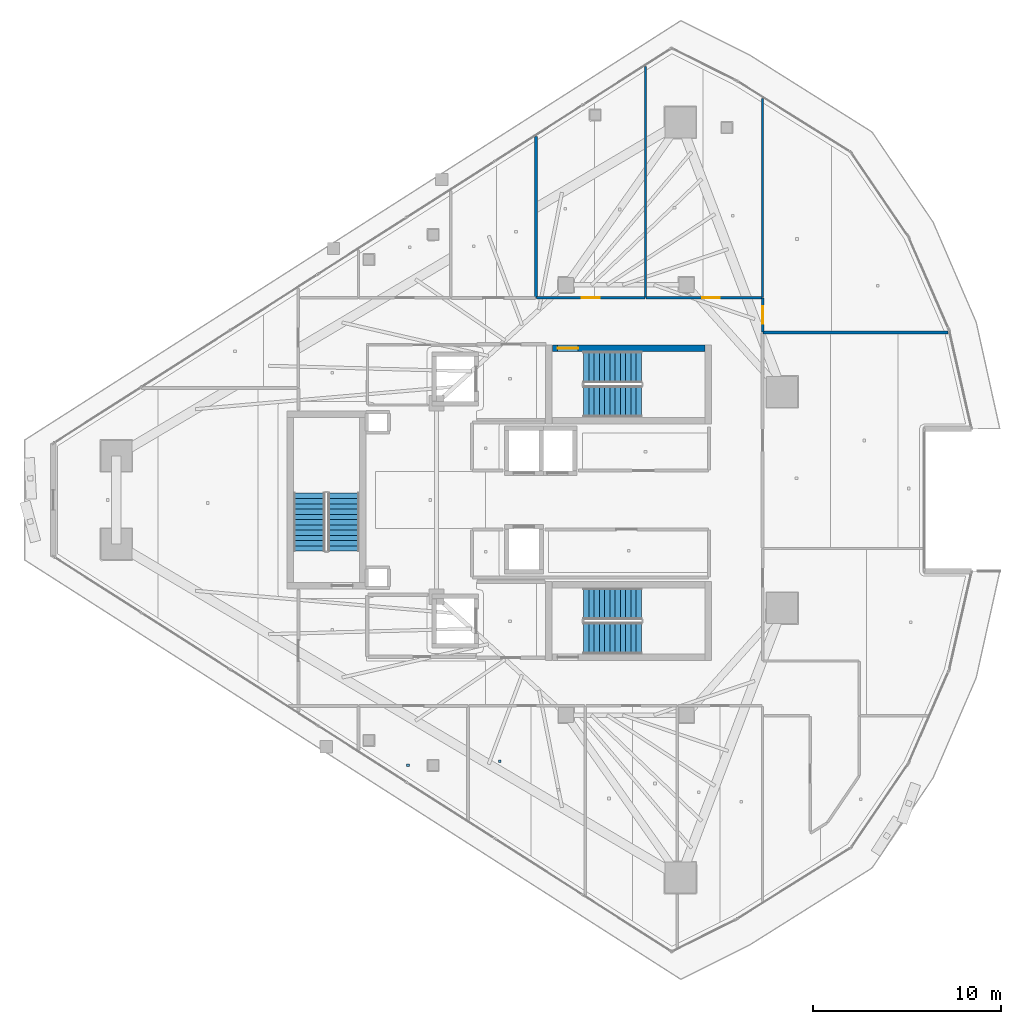
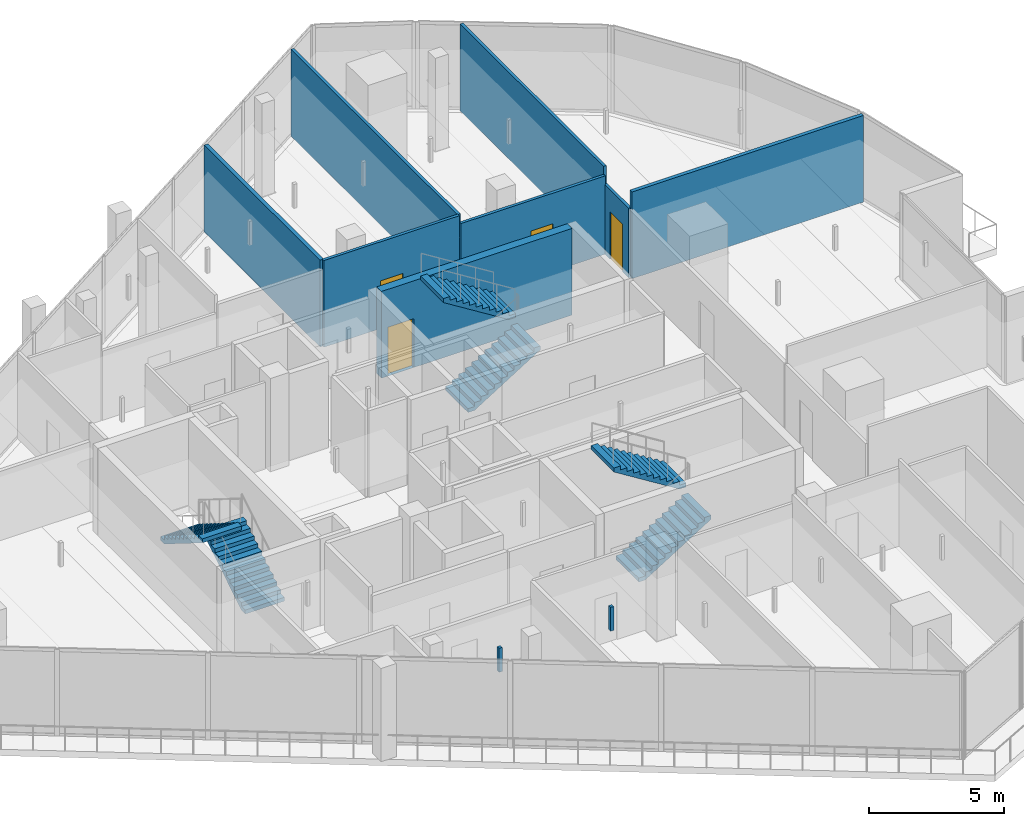
# One storey, part 27 of 36: 8 walls, 6 stair flights, 4 doors, 2 discrete accessories, 4 openings, 3 elements without a shape of their own.
"""IFC4 building model written with IfcOpenShell, lengths in metres."""

from ifc_helpers import new_model, si_unit, direction, frame, frame_2d, origin, origin_2d, place, context, subcontext, project, spatial, polyline, rectangle, outline, extrude, material, layer, layer_set, type_object, element, fill, aggregate, save


model = new_model("IFC4")

# Units and contexts
model_context = context("Model", 3, precision=1e-05, world=origin(), true_north=direction((0.0, 1.0)))
body_context = subcontext(model_context, "Body", "Model", "MODEL_VIEW")
ifc_project = project(units=[si_unit("LENGTHUNIT", "METRE"), si_unit("AREAUNIT", "SQUARE_METRE"), si_unit("VOLUMEUNIT", "CUBIC_METRE"), si_unit("PLANEANGLEUNIT", "RADIAN"), si_unit("MASSUNIT", "GRAM", prefix="KILO")], contexts=[model_context])

# Site, building, storey
site_placement = place(None, origin())
site = spatial("IfcSite", under=ifc_project, at=site_placement, CompositionType="ELEMENT")
building_placement = place(site_placement, origin())
building = spatial("IfcBuilding", under=site, at=building_placement, Name="Qorvath Tower", CompositionType="ELEMENT")
storey_placement = place(building_placement, frame((0.0, 0.0, 272.39990234375)))
storey = spatial("IfcBuildingStorey", under=building, at=storey_placement, Name="L63", CompositionType="ELEMENT", Elevation=272.39990234375)

# Walls
ifc_material_1 = material(Name="Double acoustic gypsum board on steel studs", Category="steel")
ifc_layer_1 = layer(ifc_material_1, 0.159912109375)
ifc_layer_set_1 = layer_set([ifc_layer_1], Name="IW-ACOUSTIC-160")
wall_type_1 = type_object("IfcWallType", Name="IW-ACOUSTIC-160", PredefinedType="PARTITIONING", material=ifc_layer_set_1)
wall_1_placement = place(storey_placement, frame((-25.212890625, 10.783203125, 0.0), z_axis=(0.0, 0.0, 1.0), x_axis=(0.0, 1.0, 0.0)))
element("IfcWall", 1, at=wall_1_placement, inside=storey, type_object=wall_type_1, Name="Interior Partition IW-T1-L63-025", PredefinedType="PARTITIONING", context=body_context, shape_type="SweptSolid", body=[
    extrude(rectangle(XDim=8.56396484375, YDim=0.159912109375, at=frame_2d((4.281982421875, 0.0))), origin(), (0.0, 0.0, 1.0), 3.91015625),
])
wall_2_placement = place(storey_placement, frame((-3.260009765625, 8.90869140625, 0.0), z_axis=(0.0, 0.0, 1.0), x_axis=(-1.0, 0.0, 0.0)))
element("IfcWall", 2, at=wall_2_placement, inside=storey, type_object=wall_type_1, Name="Interior Partition IW-T1-L63-050", PredefinedType="PARTITIONING", context=body_context, shape_type="SweptSolid", body=[
    extrude(rectangle(XDim=9.857177734375, YDim=0.159912109375, at=frame_2d((4.9287109375, 0.0))), origin(), (0.0, 0.0, 1.0), 3.91015625),
])

# Wall, opening, door
ifc_material_2 = material(Name="Gypsum board on metal studs with mineral wool", Category="gypsum")
ifc_layer_2 = layer(ifc_material_2, 0.125)
ifc_layer_set_2 = layer_set([ifc_layer_2], Name="IW-PART-125")
wall_type_2 = type_object("IfcWallType", Name="IW-PART-125", PredefinedType="PARTITIONING", material=ifc_layer_set_2)
wall_3_placement = place(storey_placement, frame((-25.1796875, 10.758056640625, 0.0), z_axis=(0.0, 0.0, 1.0), x_axis=(1.0, 0.0, 0.0)))
wall_3 = element("IfcWall", 3, at=wall_3_placement, inside=storey, type_object=wall_type_2, Name="Interior Partition IW-T1-L63-026", PredefinedType="PARTITIONING", context=body_context, shape_type="SweptSolid", body=[
    extrude(rectangle(XDim=5.78076171875, YDim=0.125, at=frame_2d((2.890380859375, 0.0))), origin(), (0.0, 0.0, 1.0), 3.91015625),
])
opening_1_placement = place(wall_3_placement, frame((2.415283203125, 0.0, 0.0)))
opening_1 = element("IfcOpeningElement", 4, at=opening_1_placement, cuts=wall_3, Name="Opening D-T1-L63-09", PredefinedType="OPENING", context=body_context, shape_type="SweptSolid", body=[
    extrude(rectangle(XDim=0.949951171875, YDim=2.14990234375, at=frame_2d((0.47509765625, 1.074951171875))), frame((0.0, 0.072509765625, 0.0), z_axis=(0.0, -1.0, 0.0), x_axis=(1.0, 0.0, 0.0)), (0.0, 0.0, 1.0), 0.14501953125),
])
ifc_material_3 = material(Name="Solid-core American white oak veneer", Category="wood")
door_type_1 = type_object("IfcDoorType", Name="D-01", OperationType="NOTDEFINED", PredefinedType="DOOR", material=ifc_material_3)
door_1_placement = place(opening_1_placement, origin())
door_1 = element("IfcDoor", 5, at=door_1_placement, inside=storey, type_object=door_type_1, Name="L63-03 Focus Collaboration Pod Door D-T1-L63-09", OperationType="SINGLE_SWING_LEFT", OverallHeight=2.14990234375, OverallWidth=0.949951171875, PredefinedType="DOOR", context=body_context, shape_type="SweptSolid", body=[
    extrude(rectangle(XDim=0.949951171875, YDim=2.14990234375, at=frame_2d((0.47509765625, 1.074951171875))), frame((0.0, 0.02490234375, 0.0), z_axis=(0.0, -1.0, 0.0), x_axis=(1.0, 0.0, 0.0)), (0.0, 0.0, 1.0), 0.050048828125),
])
fill(opening_1, door_1)

# Wall
wall_4_placement = place(storey_placement, frame((-19.3740234375, 10.783203125, 0.0), z_axis=(0.0, 0.0, 1.0), x_axis=(0.0, 1.0, 0.0)))
element("IfcWall", 6, at=wall_4_placement, inside=storey, type_object=wall_type_2, Name="Interior Partition IW-T1-L63-027", PredefinedType="PARTITIONING", context=body_context, shape_type="SweptSolid", body=[
    extrude(rectangle(XDim=12.2958984375, YDim=0.125, at=frame_2d((6.14794921875, 0.0))), origin(), (0.0, 0.0, 1.0), 3.91015625),
])

# Wall, opening, door
wall_5_placement = place(storey_placement, frame((-19.341064453125, 10.758056640625, 0.0), z_axis=(0.0, 0.0, 1.0), x_axis=(1.0, 0.0, 0.0)))
wall_5 = element("IfcWall", 7, at=wall_5_placement, inside=storey, type_object=wall_type_2, Name="Interior Partition IW-T1-L63-028", PredefinedType="PARTITIONING", context=body_context, shape_type="SweptSolid", body=[
    extrude(rectangle(XDim=6.166259765625, YDim=0.125, at=frame_2d((3.0830078125, 0.0))), origin(), (0.0, 0.0, 1.0), 3.529052734375),
])
opening_2_placement = place(wall_5_placement, frame((2.980712890625, 0.0, 0.0)))
opening_2 = element("IfcOpeningElement", 8, at=opening_2_placement, cuts=wall_5, Name="Opening D-T1-L63-10", PredefinedType="OPENING", context=body_context, shape_type="SweptSolid", body=[
    extrude(rectangle(XDim=0.949951171875, YDim=2.14990234375, at=frame_2d((0.47509765625, 1.074951171875))), frame((0.0, 0.072509765625, 0.0), z_axis=(0.0, -1.0, 0.0), x_axis=(1.0, 0.0, 0.0)), (0.0, 0.0, 1.0), 0.14501953125),
])
door_2_placement = place(opening_2_placement, origin())
door_2 = element("IfcDoor", 9, at=door_2_placement, inside=storey, type_object=door_type_1, Name="L63-04 Staff Refreshment Pantry and Coffee Bar Door D-T1-L63-10", OperationType="SINGLE_SWING_RIGHT", OverallHeight=2.14990234375, OverallWidth=0.949951171875, PredefinedType="DOOR", context=body_context, shape_type="SweptSolid", body=[
    extrude(rectangle(XDim=0.949951171875, YDim=2.14990234375, at=frame_2d((0.47509765625, 1.074951171875))), frame((0.0, 0.02490234375, 0.0), z_axis=(0.0, -1.0, 0.0), x_axis=(1.0, 0.0, 0.0)), (0.0, 0.0, 1.0), 0.050048828125),
])
fill(opening_2, door_2)

# Wall
wall_6_placement = place(storey_placement, frame((-13.14990234375, 10.783203125, 0.0), z_axis=(0.0, 0.0, 1.0), x_axis=(0.0, 1.0, 0.0)))
element("IfcWall", 10, at=wall_6_placement, inside=storey, type_object=wall_type_2, Name="Interior Partition IW-T1-L63-029", PredefinedType="PARTITIONING", context=body_context, shape_type="SweptSolid", body=[
    extrude(rectangle(XDim=10.59130859375, YDim=0.125, at=frame_2d((5.295654296875, 0.0))), origin(), (0.0, 0.0, 1.0), 3.91015625),
])

# Wall, opening, door
wall_7_placement = place(storey_placement, frame((-13.14208984375, 10.75830078125, 0.0), z_axis=(0.0, 0.0, 1.0), x_axis=(0.0, -1.0, 0.0)))
wall_7 = element("IfcWall", 11, at=wall_7_placement, inside=storey, type_object=wall_type_2, Name="Interior Partition IW-T1-L63-052", PredefinedType="PARTITIONING", context=body_context, shape_type="SweptSolid", body=[
    extrude(rectangle(XDim=1.81689453125, YDim=0.125, at=frame_2d((0.908447265625, 0.0))), origin(), (0.0, 0.0, 1.0), 3.130126953125),
])
opening_3_placement = place(wall_7_placement, frame((0.433349609375, 0.0, 0.0)))
opening_3 = element("IfcOpeningElement", 12, at=opening_3_placement, cuts=wall_7, Name="Opening D-T1-L63-18", PredefinedType="OPENING", context=body_context, shape_type="SweptSolid", body=[
    extrude(rectangle(XDim=0.949951171875, YDim=2.14990234375, at=frame_2d((0.47509765625, 1.074951171875))), frame((0.0, 0.072509765625, 0.0), z_axis=(0.0, -1.0, 0.0), x_axis=(1.0, 0.0, 0.0)), (0.0, 0.0, 1.0), 0.14501953125),
])
door_3_placement = place(opening_3_placement, origin())
door_3 = element("IfcDoor", 13, at=door_3_placement, inside=storey, type_object=door_type_1, Name="L63-12 Quantitative Research Studio Door D-T1-L63-18", OperationType="SINGLE_SWING_RIGHT", OverallHeight=2.14990234375, OverallWidth=0.949951171875, PredefinedType="DOOR", context=body_context, shape_type="SweptSolid", body=[
    extrude(rectangle(XDim=0.949951171875, YDim=2.14990234375, at=frame_2d((0.47509765625, 1.074951171875))), frame((0.0, 0.02490234375, 0.0), z_axis=(0.0, -1.0, 0.0), x_axis=(1.0, 0.0, 0.0)), (0.0, 0.0, 1.0), 0.050048828125),
])
fill(opening_3, door_3)

ifc_material_4 = material(Name="Concrete C60/75", Category="concrete")
ifc_layer_3 = layer(ifc_material_4, 0.35009765625)
ifc_layer_set_3 = layer_set([ifc_layer_3], Name="SW-STAIR")
wall_type_3 = type_object("IfcWallType", Name="SW-STAIR", PredefinedType="SHEAR", material=ifc_layer_set_3)
wall_8_placement = place(storey_placement, frame((-16.215087890625, 8.0849609375, 0.0), z_axis=(0.0, 0.0, 1.0), x_axis=(-1.0, 0.0, 0.0)))
wall_8 = element("IfcWall", 14, at=wall_8_placement, inside=storey, type_object=wall_type_3, Name="Stair TS1 Shear Wall L63 RIGHT", PredefinedType="SHEAR", context=body_context, shape_type="SweptSolid", body=[
    extrude(rectangle(XDim=8.119873046875, YDim=0.35009765625, at=frame_2d((4.06005859375, 0.0))), origin(), (0.0, 0.0, 1.0), 3.91015625),
])
opening_4_placement = place(wall_8_placement, frame((6.739990234375, 0.0, 0.0)))
opening_4 = element("IfcOpeningElement", 15, at=opening_4_placement, cuts=wall_8, Name="Opening D-TS1-L63", PredefinedType="OPENING", context=body_context, shape_type="SweptSolid", body=[
    extrude(rectangle(XDim=1.10009765625, YDim=2.199951171875, at=frame_2d((0.550048828125, 1.10009765625))), frame((0.0, 0.18505859375, 0.0), z_axis=(0.0, -1.0, 0.0), x_axis=(1.0, 0.0, 0.0)), (0.0, 0.0, 1.0), 0.3701171875),
])
ifc_material_5 = material(Name="Painted galvanised hollow metal", Category="steel")
door_type_2 = type_object("IfcDoorType", Name="FD-90", OperationType="NOTDEFINED", PredefinedType="DOOR", material=ifc_material_5)
door_4_placement = place(opening_4_placement, origin())
door_4 = element("IfcDoor", 16, at=door_4_placement, inside=storey, type_object=door_type_2, Name="Stair TS1 Fire Door L63", OperationType="SINGLE_SWING_RIGHT", OverallHeight=2.199951171875, OverallWidth=1.10009765625, PredefinedType="DOOR", context=body_context, shape_type="SweptSolid", body=[
    extrude(rectangle(XDim=1.10009765625, YDim=2.199951171875, at=frame_2d((0.550048828125, 1.10009765625))), frame((0.0, 0.02490234375, 0.0), z_axis=(0.0, -1.0, 0.0), x_axis=(1.0, 0.0, 0.0)), (0.0, 0.0, 1.0), 0.050048828125),
])
fill(opening_4, door_4)

# Stair, stair flights
ifc_material_6 = material(Name="Concrete C50/60", Category="concrete")
stair_type = type_object("IfcStairType", Name="ST-H420", PredefinedType="HALF_TURN_STAIR", material=ifc_material_6)
stair_1_placement = place(storey_placement, origin())
stair_1 = element("IfcStair", 17, at=stair_1_placement, inside=storey, type_object=stair_type, Name="L63 Tower Exit Stair 1", PredefinedType="HALF_TURN_STAIR")
ifc_material_7 = material(Name="Concrete C50/60", Category="concrete")
ifc_layer_4 = layer(ifc_material_7, 0.14990234375)
ifc_layer_set_4 = layer_set([ifc_layer_4], Name="SF-H420")
stair_flight_type = type_object("IfcStairFlightType", Name="SF-H420", PredefinedType="STRAIGHT", material=ifc_layer_set_4)
stair_flight_1_placement = place(storey_placement, frame((-22.669921875, 5.239990234375, 0.0), z_axis=(0.0, 0.0, 1.0), x_axis=(1.0, 0.0, 0.0)))
stair_flight_1 = element("IfcStairFlight", 18, at=stair_flight_1_placement, type_object=stair_flight_type, Name="TS1 flight 1", NumberOfRisers=12, NumberOfTreads=11, PredefinedType="STRAIGHT", RiserHeight=0.175, TreadLength=0.28, context=body_context, shape_type="SweptSolid", body=[
    extrude(outline(polyline([(0.0, 0.0), (0.0, 0.175048828125), (0.280029296875, 0.175048828125), (0.280029296875, 0.35009765625), (0.56005859375, 0.35009765625), (0.56005859375, 0.52490234375), (0.840087890625, 0.52490234375), (0.840087890625, 0.699951171875), (1.1201171875, 0.699951171875), (1.1201171875, 0.875), (1.39990234375, 0.875), (1.39990234375, 1.050048828125), (1.679931640625, 1.050048828125), (1.679931640625, 1.22509765625), (1.9599609375, 1.22509765625), (1.9599609375, 1.39990234375), (2.239990234375, 1.39990234375), (2.239990234375, 1.574951171875), (2.52001953125, 1.574951171875), (2.52001953125, 1.75), (2.800048828125, 1.75), (2.800048828125, 1.925048828125), (3.080078125, 1.925048828125), (3.080078125, 2.10009765625), (3.080078125, 1.748291015625), (0.28271484375, 0.0), (0.0, 0.0)])), frame((0.0, 0.83984375, 0.0), z_axis=(0.0, -1.0, 0.0), x_axis=(1.0, 0.0, 0.0)), (0.0, 0.0, 1.0), 1.679931640625),
])
stair_flight_2_placement = place(storey_placement, frame((-19.590087890625, 7.070068359375, 2.10009765625), z_axis=(0.0, 0.0, 1.0), x_axis=(-1.0, 0.0, 0.0)))
stair_flight_2 = element("IfcStairFlight", 19, at=stair_flight_2_placement, type_object=stair_flight_type, Name="TS1 flight 2", NumberOfRisers=12, NumberOfTreads=11, PredefinedType="STRAIGHT", RiserHeight=0.175, TreadLength=0.28, context=body_context, shape_type="SweptSolid", body=[
    extrude(outline(polyline([(0.0, 0.0), (0.0, 0.175048828125), (0.280029296875, 0.175048828125), (0.280029296875, 0.35009765625), (0.56005859375, 0.35009765625), (0.56005859375, 0.52490234375), (0.840087890625, 0.52490234375), (0.840087890625, 0.699951171875), (1.1201171875, 0.699951171875), (1.1201171875, 0.875), (1.39990234375, 0.875), (1.39990234375, 1.050048828125), (1.679931640625, 1.050048828125), (1.679931640625, 1.22509765625), (1.9599609375, 1.22509765625), (1.9599609375, 1.39990234375), (2.239990234375, 1.39990234375), (2.239990234375, 1.574951171875), (2.52001953125, 1.574951171875), (2.52001953125, 1.75), (2.800048828125, 1.75), (2.800048828125, 1.925048828125), (3.080078125, 1.925048828125), (3.080078125, 2.10009765625), (3.080078125, 1.748291015625), (0.28271484375, 0.0), (0.0, 0.0)])), frame((0.0, 0.83984375, 0.0), z_axis=(0.0, -1.0, 0.0), x_axis=(1.0, 0.0, 0.0)), (0.0, 0.0, 1.0), 1.679931640625),
])
aggregate(stair_1, [stair_flight_1, stair_flight_2])

stair_2_placement = place(storey_placement, origin())
stair_2 = element("IfcStair", 20, at=stair_2_placement, inside=storey, type_object=stair_type, Name="L63 Tower Exit Stair 2", PredefinedType="HALF_TURN_STAIR")
stair_flight_3_placement = place(storey_placement, frame((-22.669921875, -7.360107421875, 0.0), z_axis=(0.0, 0.0, 1.0), x_axis=(1.0, 0.0, 0.0)))
stair_flight_3 = element("IfcStairFlight", 21, at=stair_flight_3_placement, type_object=stair_flight_type, Name="TS2 flight 1", NumberOfRisers=12, NumberOfTreads=11, PredefinedType="STRAIGHT", RiserHeight=0.175, TreadLength=0.28, context=body_context, shape_type="SweptSolid", body=[
    extrude(outline(polyline([(0.0, 0.0), (0.0, 0.175048828125), (0.280029296875, 0.175048828125), (0.280029296875, 0.35009765625), (0.56005859375, 0.35009765625), (0.56005859375, 0.52490234375), (0.840087890625, 0.52490234375), (0.840087890625, 0.699951171875), (1.1201171875, 0.699951171875), (1.1201171875, 0.875), (1.39990234375, 0.875), (1.39990234375, 1.050048828125), (1.679931640625, 1.050048828125), (1.679931640625, 1.22509765625), (1.9599609375, 1.22509765625), (1.9599609375, 1.39990234375), (2.239990234375, 1.39990234375), (2.239990234375, 1.574951171875), (2.52001953125, 1.574951171875), (2.52001953125, 1.75), (2.800048828125, 1.75), (2.800048828125, 1.925048828125), (3.080078125, 1.925048828125), (3.080078125, 2.10009765625), (3.080078125, 1.748291015625), (0.28271484375, 0.0), (0.0, 0.0)])), frame((0.0, 0.83984375, 0.0), z_axis=(0.0, -1.0, 0.0), x_axis=(1.0, 0.0, 0.0)), (0.0, 0.0, 1.0), 1.679931640625),
])
stair_flight_4_placement = place(storey_placement, frame((-19.590087890625, -5.530029296875, 2.10009765625), z_axis=(0.0, 0.0, 1.0), x_axis=(-1.0, 0.0, 0.0)))
stair_flight_4 = element("IfcStairFlight", 22, at=stair_flight_4_placement, type_object=stair_flight_type, Name="TS2 flight 2", NumberOfRisers=12, NumberOfTreads=11, PredefinedType="STRAIGHT", RiserHeight=0.175, TreadLength=0.28, context=body_context, shape_type="SweptSolid", body=[
    extrude(outline(polyline([(0.0, 0.0), (0.0, 0.175048828125), (0.280029296875, 0.175048828125), (0.280029296875, 0.35009765625), (0.56005859375, 0.35009765625), (0.56005859375, 0.52490234375), (0.840087890625, 0.52490234375), (0.840087890625, 0.699951171875), (1.1201171875, 0.699951171875), (1.1201171875, 0.875), (1.39990234375, 0.875), (1.39990234375, 1.050048828125), (1.679931640625, 1.050048828125), (1.679931640625, 1.22509765625), (1.9599609375, 1.22509765625), (1.9599609375, 1.39990234375), (2.239990234375, 1.39990234375), (2.239990234375, 1.574951171875), (2.52001953125, 1.574951171875), (2.52001953125, 1.75), (2.800048828125, 1.75), (2.800048828125, 1.925048828125), (3.080078125, 1.925048828125), (3.080078125, 2.10009765625), (3.080078125, 1.748291015625), (0.28271484375, 0.0), (0.0, 0.0)])), frame((0.0, 0.83984375, 0.0), z_axis=(0.0, -1.0, 0.0), x_axis=(1.0, 0.0, 0.0)), (0.0, 0.0, 1.0), 1.679931640625),
])
aggregate(stair_2, [stair_flight_3, stair_flight_4])

stair_3_placement = place(storey_placement, origin())
stair_3 = element("IfcStair", 23, at=stair_3_placement, inside=storey, type_object=stair_type, Name="L63 Tower Exit Stair 3", PredefinedType="HALF_TURN_STAIR")
stair_flight_5_placement = place(storey_placement, frame((-35.43994140625, -2.719970703125, 0.0), z_axis=(0.0, 0.0, 1.0), x_axis=(0.0, 1.0, 0.0)))
stair_flight_5 = element("IfcStairFlight", 24, at=stair_flight_5_placement, type_object=stair_flight_type, Name="TS3 flight 1", NumberOfRisers=12, NumberOfTreads=11, PredefinedType="STRAIGHT", RiserHeight=0.175, TreadLength=0.28, context=body_context, shape_type="SweptSolid", body=[
    extrude(outline(polyline([(0.0, 0.0), (0.0, 0.175048828125), (0.280029296875, 0.175048828125), (0.280029296875, 0.35009765625), (0.56005859375, 0.35009765625), (0.56005859375, 0.52490234375), (0.840087890625, 0.52490234375), (0.840087890625, 0.699951171875), (1.1201171875, 0.699951171875), (1.1201171875, 0.875), (1.39990234375, 0.875), (1.39990234375, 1.050048828125), (1.679931640625, 1.050048828125), (1.679931640625, 1.22509765625), (1.9599609375, 1.22509765625), (1.9599609375, 1.39990234375), (2.239990234375, 1.39990234375), (2.239990234375, 1.574951171875), (2.52001953125, 1.574951171875), (2.52001953125, 1.75), (2.800048828125, 1.75), (2.800048828125, 1.925048828125), (3.080078125, 1.925048828125), (3.080078125, 2.10009765625), (3.080078125, 1.748291015625), (0.28271484375, 0.0), (0.0, 0.0)])), frame((0.0, 0.83984375, 0.0), z_axis=(0.0, -1.0, 0.0), x_axis=(1.0, 0.0, 0.0)), (0.0, 0.0, 1.0), 1.679931640625),
])
stair_flight_6_placement = place(storey_placement, frame((-37.27001953125, 0.360107421875, 2.10009765625), z_axis=(0.0, 0.0, 1.0), x_axis=(0.0, -1.0, 0.0)))
stair_flight_6 = element("IfcStairFlight", 25, at=stair_flight_6_placement, type_object=stair_flight_type, Name="TS3 flight 2", NumberOfRisers=12, NumberOfTreads=11, PredefinedType="STRAIGHT", RiserHeight=0.175, TreadLength=0.28, context=body_context, shape_type="SweptSolid", body=[
    extrude(outline(polyline([(0.0, 0.0), (0.0, 0.175048828125), (0.280029296875, 0.175048828125), (0.280029296875, 0.35009765625), (0.56005859375, 0.35009765625), (0.56005859375, 0.52490234375), (0.840087890625, 0.52490234375), (0.840087890625, 0.699951171875), (1.1201171875, 0.699951171875), (1.1201171875, 0.875), (1.39990234375, 0.875), (1.39990234375, 1.050048828125), (1.679931640625, 1.050048828125), (1.679931640625, 1.22509765625), (1.9599609375, 1.22509765625), (1.9599609375, 1.39990234375), (2.239990234375, 1.39990234375), (2.239990234375, 1.574951171875), (2.52001953125, 1.574951171875), (2.52001953125, 1.75), (2.800048828125, 1.75), (2.800048828125, 1.925048828125), (3.080078125, 1.925048828125), (3.080078125, 2.10009765625), (3.080078125, 1.748291015625), (0.28271484375, 0.0), (0.0, 0.0)])), frame((0.0, 0.83984375, 0.0), z_axis=(0.0, -1.0, 0.0), x_axis=(1.0, 0.0, 0.0)), (0.0, 0.0, 1.0), 1.679931640625),
])
aggregate(stair_3, [stair_flight_5, stair_flight_6])

# Discrete accessories
ifc_material_8 = material(Name="Galvanised steel bracket", Category="steel")
discrete_accessory_type = type_object("IfcDiscreteAccessoryType", Name="DA-BRACKET", PredefinedType="BRACKET", material=ifc_material_8)
for number, where, z_axis, x_axis, name in (
    (26, (-32.015625, -14.124267578125, 2.860107421875), (0.0, 0.0, 1.0), (1.0, 0.0, 0.0), "Acoustic Ceiling Suspension Hanger T1-L63-019"),
    (27, (-27.131103515625, -13.898193359375, 2.860107421875), (0.0, 0.0, 1.0), (1.0, 0.0, 0.0), "Acoustic Ceiling Suspension Hanger T1-L63-020"),
):
    element("IfcDiscreteAccessory", number, at=place(storey_placement, frame(where, z_axis=z_axis, x_axis=x_axis)), inside=storey, type_object=discrete_accessory_type, Name=name, PredefinedType="NOTDEFINED", context=body_context, shape_type="SweptSolid", body=[
        extrude(rectangle(XDim=0.139892578125, YDim=0.139892578125, at=origin_2d()), origin(), (0.0, 0.0, 1.0), 1.080078125),
    ])

save(model, "model.ifc")
